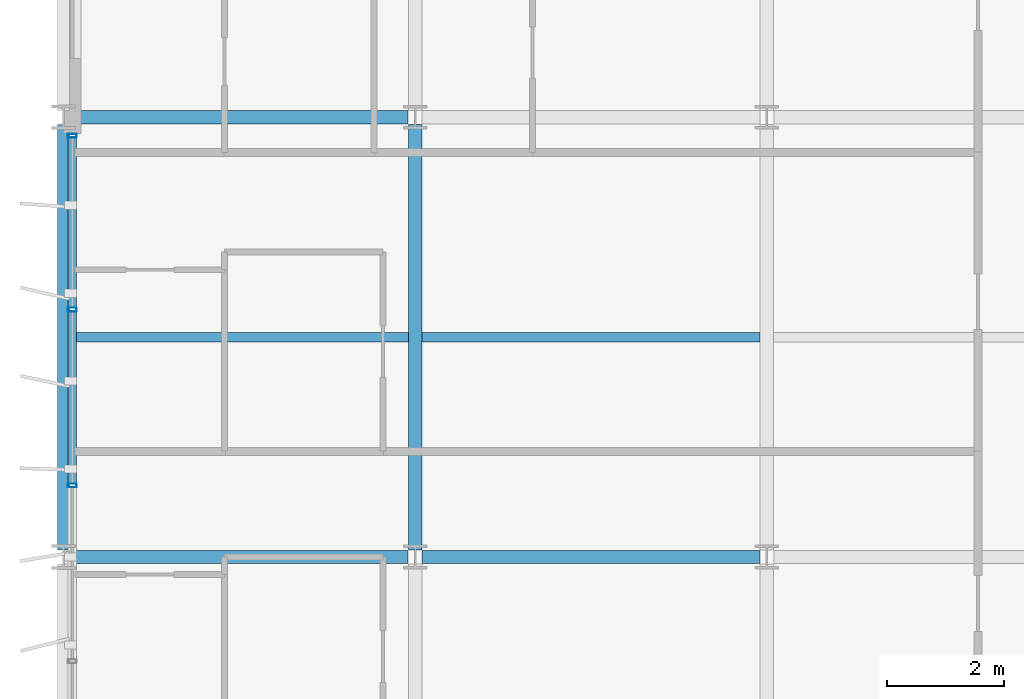
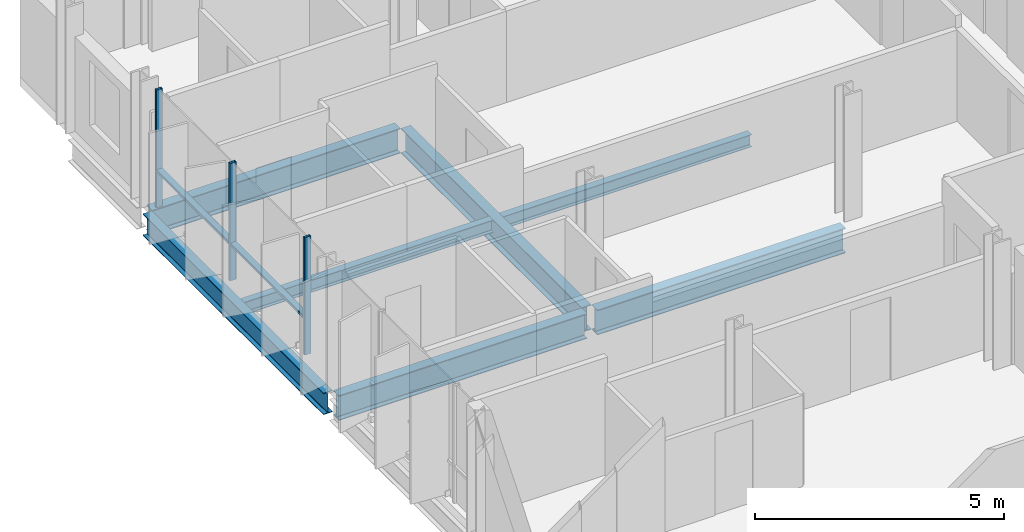
# One storey, part 7 of 40: 7 beams, 5 members, 1 element without a shape of its own.
"""IFC4 building model written with IfcOpenShell, lengths in metres."""

import ifcopenshell
import ifcopenshell.guid

model = None  # the IFC model being written
_history = None  # IfcOwnerHistory: only IFC2X3 demands one
_inside = {}  # id of a spatial element -> (the spatial element, [elements in it])
_under = {}  # id of a project, library or spatial element -> (it, [spatial elements below it])
_declared = {}  # id of a project -> (the project, [libraries it declares])
_typed = {}  # id of a type object -> (the type object, [elements of that type])
_made_of = {}  # id of a material, layer set ... -> (it, [elements and type objects made of it])


def new_model(schema):
    """Start an empty IFC model of exactly this schema.

    Asked for "IFC4X3", IfcOpenShell would pick the latest addendum, in which some entities
    have other attributes; the version numbers below select the first issue.
    IFC2X3 requires an IfcOwnerHistory on every rooted entity: one is made here for all.
    """
    global model, _history
    if schema == "IFC4X3":
        model = ifcopenshell.file(schema_version=(4, 3, 0, 0))
    else:
        model = ifcopenshell.file(schema=schema)
    _inside.clear()
    _under.clear()
    _declared.clear()
    _typed.clear()
    _made_of.clear()
    _history = None
    if model.schema == "IFC2X3":
        org = make("IfcOrganization", Name="unknown")
        user = make(
            "IfcPersonAndOrganization",
            ThePerson=make("IfcPerson", FamilyName="unknown"),
            TheOrganization=org,
        )
        app = make(
            "IfcApplication",
            ApplicationDeveloper=org,
            Version="unknown",
            ApplicationFullName="unknown",
            ApplicationIdentifier="unknown",
        )
        _history = make(
            "IfcOwnerHistory",
            OwningUser=user,
            OwningApplication=app,
            ChangeAction="ADDED",
            CreationDate=0,
        )
    return model


def make(cls, **values):
    """One entity of the class cls with the attributes given. An attribute that is None is left unset."""
    return model.create_entity(
        cls, **{name: value for name, value in values.items() if value is not None}
    )


def rooted(cls, **values):
    """An entity with a GlobalId (a new one), such as an element, a storey or a relation."""
    return make(cls, GlobalId=ifcopenshell.guid.new(), OwnerHistory=_history, **values)


def si_unit(unit_type, name, prefix=None):
    """IfcSIUnit, for example si_unit("LENGTHUNIT", "METRE", prefix="MILLI")."""
    return make("IfcSIUnit", UnitType=unit_type, Prefix=prefix, Name=name)


def assignment(units):
    """IfcUnitAssignment: the units of a project."""
    return None if units is None else make("IfcUnitAssignment", Units=units)


def point(xyz):
    """IfcCartesianPoint."""
    return None if xyz is None else make("IfcCartesianPoint", Coordinates=xyz)


def direction(xyz):
    """IfcDirection."""
    return None if xyz is None else make("IfcDirection", DirectionRatios=xyz)


def frame(location, z_axis=None, x_axis=None):
    """IfcAxis2Placement3D, a coordinate frame: its origin and axes. An axis left out is left unset."""
    return make(
        "IfcAxis2Placement3D",
        Location=point(location),
        Axis=direction(z_axis),
        RefDirection=direction(x_axis),
    )


def frame_2d(location, x_axis=None):
    """IfcAxis2Placement2D, a coordinate frame in the plane: its origin and x axis."""
    return make(
        "IfcAxis2Placement2D", Location=point(location), RefDirection=direction(x_axis)
    )


def origin():
    """The frame at (0, 0, 0) with its axes left unset."""
    return frame((0.0, 0.0, 0.0))


def origin_2d():
    """The frame at (0, 0) in the plane with its x axis left unset."""
    return frame_2d((0.0, 0.0))


def place(relative_to, where):
    """IfcLocalPlacement: puts the frame where relative to a parent placement (None: the world)."""
    return make(
        "IfcLocalPlacement", PlacementRelTo=relative_to, RelativePlacement=where
    )


def context(
    kind, dimensions, precision=None, world=None, true_north=None, identifier=None
):
    """IfcGeometricRepresentationContext, for example the 3D "Model" context."""
    return make(
        "IfcGeometricRepresentationContext",
        ContextIdentifier=identifier,
        ContextType=kind,
        CoordinateSpaceDimension=dimensions,
        Precision=precision,
        WorldCoordinateSystem=world,
        TrueNorth=true_north,
    )


def subcontext(parent, identifier, kind, view, scale=None):
    """IfcGeometricRepresentationSubContext, for example "Body" below "Model"."""
    return make(
        "IfcGeometricRepresentationSubContext",
        ContextIdentifier=identifier,
        ContextType=kind,
        ParentContext=parent,
        TargetScale=scale,
        TargetView=view,
    )


def project(units=None, contexts=None):
    """IfcProject with its units and contexts."""
    return rooted(
        "IfcProject",
        Name="project",
        RepresentationContexts=contexts,
        UnitsInContext=assignment(units),
    )


def spatial(cls, under=None, at=None, **own):
    """A site, building, storey or space (cls), placed at a placement, below another one or the project."""
    s = rooted(cls, ObjectPlacement=at, **own)
    if under is not None:
        _under.setdefault(under.id(), (under, []))[1].append(s)
    return s


def profile(cls, at=None, kind="AREA", **sizes):
    """A parametric profile (cls). Its sizes go by their IFC names, for example OverallWidth=200.0."""
    return make(cls, ProfileType=kind, Position=at, **sizes)


def hollow_rectangle(**sizes):
    """IfcRectangleHollowProfileDef."""
    return profile("IfcRectangleHollowProfileDef", **sizes)


def i_section(**sizes):
    """IfcIShapeProfileDef."""
    return profile("IfcIShapeProfileDef", **sizes)


def extrude(swept, where, along, depth):
    """IfcExtrudedAreaSolid: the profile swept, set in the frame where, extruded along a direction by depth."""
    return make(
        "IfcExtrudedAreaSolid",
        SweptArea=swept,
        Position=where,
        ExtrudedDirection=direction(along),
        Depth=depth,
    )


def shape(context_of_items, identifier, shape_type, items):
    """IfcShapeRepresentation: the items that make up one representation, for example the "Body"."""
    return make(
        "IfcShapeRepresentation",
        ContextOfItems=context_of_items,
        RepresentationIdentifier=identifier,
        RepresentationType=shape_type,
        Items=items,
    )


def material(Name=None, Category=None):
    """IfcMaterial."""
    return make("IfcMaterial", Name=Name, Category=Category)


def layer(
    of_material, thickness, ventilated=None, Name=None, Category=None, Priority=None
):
    """IfcMaterialLayer: one layer of a wall or slab, of a material (None: an air gap)."""
    return make(
        "IfcMaterialLayer",
        Material=of_material,
        LayerThickness=thickness,
        IsVentilated=ventilated,
        Name=Name,
        Category=Category,
        Priority=Priority,
    )


def layer_set(layers, Name=None):
    """IfcMaterialLayerSet."""
    return make("IfcMaterialLayerSet", MaterialLayers=layers, LayerSetName=Name)


def material_profile(
    of_material, cross_section, Name=None, Category=None, Priority=None
):
    """IfcMaterialProfile: a cross section and its material."""
    return make(
        "IfcMaterialProfile",
        Name=Name,
        Material=of_material,
        Profile=cross_section,
        Priority=Priority,
        Category=Category,
    )


def profile_set(profiles, Name=None, composite=None):
    """IfcMaterialProfileSet."""
    return make(
        "IfcMaterialProfileSet",
        Name=Name,
        MaterialProfiles=profiles,
        CompositeProfile=composite,
    )


def made_of(thing, what):
    """Note that an element or type object is made of a material, layer set ...; save() writes the relation."""
    if what is not None:
        _made_of.setdefault(what.id(), (what, []))[1].append(thing)
    return thing


def type_object(cls, material=None, **own):
    """A type object (cls), such as IfcWallType, which elements share."""
    return made_of(rooted(cls, **own), material)


def element(
    cls,
    number,
    at=None,
    inside=None,
    cuts=None,
    type_object=None,
    material=None,
    context=None,
    identifier="Body",
    shape_type=None,
    held_by="IfcProductDefinitionShape",
    body=None,
    shapes=None,
    **own,
):
    """One element of the class cls, such as IfcWall. Its Tag is "e" and its number.

    at: its placement. inside: the storey or other place that contains it. cuts: it is an
    opening in that element (IfcRelVoidsElement). A single representation is given by context,
    identifier, shape_type and body (its items); several are given by shapes. held_by: the class
    of the entity that holds the representations. save() writes the other relations.
    """
    e = rooted(cls, Tag="e%d" % number, ObjectPlacement=at, **own)
    if body is not None:
        shapes = [shape(context, identifier, shape_type, body)]
    if shapes is not None:
        e.Representation = make(held_by, Representations=shapes)
    if inside is not None:
        _inside.setdefault(inside.id(), (inside, []))[1].append(e)
    if cuts is not None:
        rooted(
            "IfcRelVoidsElement", RelatingBuildingElement=cuts, RelatedOpeningElement=e
        )
    if type_object is not None:
        _typed.setdefault(type_object.id(), (type_object, []))[1].append(e)
    return made_of(e, material)


def aggregate(whole, parts):
    """IfcRelAggregates: a whole, such as a stair, and the parts it consists of."""
    return rooted("IfcRelAggregates", RelatingObject=whole, RelatedObjects=parts)


def save(model, path):
    """Write the relations noted so far, then the file.

    IfcRelAggregates (storeys below a building ...), IfcRelContainedInSpatialStructure (elements
    in a storey), IfcRelDefinesByType, IfcRelAssociatesMaterial and IfcRelDeclares: one each for
    every whole, place, type object, material and project.
    """
    for whole, parts in _under.values():
        aggregate(whole, parts)
    for where, things in _inside.values():
        rooted(
            "IfcRelContainedInSpatialStructure",
            RelatedElements=things,
            RelatingStructure=where,
        )
    for kind, things in _typed.values():
        rooted("IfcRelDefinesByType", RelatedObjects=things, RelatingType=kind)
    for what, things in _made_of.values():
        rooted("IfcRelAssociatesMaterial", RelatedObjects=things, RelatingMaterial=what)
    for by, libraries in _declared.values():
        rooted("IfcRelDeclares", RelatingContext=by, RelatedDefinitions=libraries)
    model.write(path)


model = new_model("IFC4")

# Units and contexts
model_context = context("Model", 3, precision=1e-05, world=origin(), true_north=direction((0.0, 1.0)))
body_context = subcontext(model_context, "Body", "Model", "MODEL_VIEW")
ifc_project = project(units=[si_unit("LENGTHUNIT", "METRE"), si_unit("AREAUNIT", "SQUARE_METRE"), si_unit("VOLUMEUNIT", "CUBIC_METRE"), si_unit("PLANEANGLEUNIT", "RADIAN"), si_unit("MASSUNIT", "GRAM", prefix="KILO")], contexts=[model_context])

# Site, building, storey
site_placement = place(None, origin())
site = spatial("IfcSite", under=ifc_project, at=site_placement, CompositionType="ELEMENT")
building_placement = place(site_placement, origin())
building = spatial("IfcBuilding", under=site, at=building_placement, Name="Brevholm Reach", CompositionType="ELEMENT")
storey_placement = place(building_placement, frame((0.0, 0.0, 148.0)))
storey = spatial("IfcBuildingStorey", under=building, at=storey_placement, Name="L44", CompositionType="ELEMENT", Elevation=148.0)

# Beams
ifc_material_1 = material(Name="Structural Steel S355J2", Category="steel")
ifc_material_profile_1 = material_profile(ifc_material_1, i_section(OverallWidth=0.1650390625, OverallDepth=0.303466796875, WebThickness=0.006103515625, FlangeThickness=0.01025390625, FilletRadius=0.0087890625, at=origin_2d()), Name="UKB 305x165x40")
ifc_profile_set_1 = profile_set([ifc_material_profile_1], Name="Structural Steel S355J2")
beam_type_1 = type_object("IfcBeamType", Name="BM-B305", PredefinedType="BEAM", material=ifc_profile_set_1)
beam_1_placement = place(storey_placement, frame((0.104736328125, 19.75, -0.37158203125), z_axis=(1.0, 0.0, 0.0), x_axis=(0.0, 1.0, 0.0)))
element("IfcBeam", 1, at=beam_1_placement, inside=storey, type_object=beam_type_1, Name="L44 Composite Secondary Floor Beam", PredefinedType="BEAM", context=body_context, shape_type="SweptSolid", body=[
    extrude(i_section(OverallWidth=0.1650390625, OverallDepth=0.303466796875, WebThickness=0.006103515625, FlangeThickness=0.01025390625, FilletRadius=0.0087890625, at=origin_2d()), origin(), (0.0, 0.0, 1.0), 5.78076171875),
])
beam_2_placement = place(storey_placement, frame((6.114501953125, 19.75, -0.37158203125), z_axis=(1.0, 0.0, 0.0), x_axis=(0.0, 1.0, 0.0)))
element("IfcBeam", 2, at=beam_2_placement, inside=storey, type_object=beam_type_1, Name="L44 Composite Secondary Floor Beam", PredefinedType="BEAM", context=body_context, shape_type="SweptSolid", body=[
    extrude(i_section(OverallWidth=0.1650390625, OverallDepth=0.303466796875, WebThickness=0.006103515625, FlangeThickness=0.01025390625, FilletRadius=0.0087890625, at=origin_2d()), origin(), (0.0, 0.0, 1.0), 5.77099609375),
])
ifc_material_2 = material(Name="Structural Steel S355J2", Category="steel")
ifc_material_profile_2 = material_profile(ifc_material_2, i_section(OverallWidth=0.209228515625, OverallDepth=0.533203125, WebThickness=0.010009765625, FlangeThickness=0.015625, FilletRadius=0.0126953125, at=origin_2d()), Name="UKB 533x210x92")
ifc_profile_set_2 = profile_set([ifc_material_profile_2], Name="Structural Steel S355J2")
beam_type_2 = type_object("IfcBeamType", Name="BM-SP533", PredefinedType="SPANDREL", material=ifc_profile_set_2)
beam_3_placement = place(storey_placement, frame((0.0, 16.1201171875, -0.486572265625), z_axis=(0.0, 1.0, 0.0), x_axis=(-1.0, 0.0, 0.0)))
element("IfcBeam", 3, at=beam_3_placement, inside=storey, type_object=beam_type_2, Name="L44 SP-02 Framing Beam", PredefinedType="SPANDREL", context=body_context, shape_type="SweptSolid", body=[
    extrude(i_section(OverallWidth=0.209228515625, OverallDepth=0.533203125, WebThickness=0.010009765625, FlangeThickness=0.015625, FilletRadius=0.0126953125, at=origin_2d()), origin(), (0.0, 0.0, 1.0), 7.259765625),
])
ifc_material_3 = material(Name="Structural Steel S355J2", Category="steel")
ifc_material_profile_3 = material_profile(ifc_material_3, i_section(OverallWidth=0.22900390625, OverallDepth=0.6123046875, WebThickness=0.011962890625, FlangeThickness=0.01953125, FilletRadius=0.0126953125, at=origin_2d()), Name="UKB 610x229x125")
ifc_profile_set_3 = profile_set([ifc_material_profile_3], Name="Structural Steel S355J2")
beam_type_3 = type_object("IfcBeamType", Name="BM-SP610", PredefinedType="SPANDREL", material=ifc_profile_set_3)
for number, where, z_axis, x_axis, name in (
    (4, (0.1201171875, 16.0, -0.526123046875), (1.0, 0.0, 0.0), (0.0, 1.0, 0.0), "L44 SP-01 Framing Beam"),
    (5, (6.1201171875, 16.0, -0.526123046875), (1.0, 0.0, 0.0), (0.0, 1.0, 0.0), "L44 SP-01 Framing Beam"),
    (6, (0.1201171875, 23.5, -0.526123046875), (1.0, 0.0, 0.0), (0.0, 1.0, 0.0), "L44 SP-01 Framing Beam"),
):
    element("IfcBeam", number, at=place(storey_placement, frame(where, z_axis=z_axis, x_axis=x_axis)), inside=storey, type_object=beam_type_3, Name=name, PredefinedType="SPANDREL", context=body_context, shape_type="SweptSolid", body=[
        extrude(i_section(OverallWidth=0.22900390625, OverallDepth=0.6123046875, WebThickness=0.011962890625, FlangeThickness=0.01953125, FilletRadius=0.0126953125, at=origin_2d()), origin(), (0.0, 0.0, 1.0), 5.759765625),
    ])
beam_4_placement = place(storey_placement, frame((6.0, 16.1201171875, -0.526123046875), z_axis=(0.0, 1.0, 0.0), x_axis=(-1.0, 0.0, 0.0)))
element("IfcBeam", 7, at=beam_4_placement, inside=storey, type_object=beam_type_3, Name="L44 SP-01 Framing Beam", PredefinedType="SPANDREL", context=body_context, shape_type="SweptSolid", body=[
    extrude(i_section(OverallWidth=0.22900390625, OverallDepth=0.6123046875, WebThickness=0.011962890625, FlangeThickness=0.01953125, FilletRadius=0.0126953125, at=origin_2d()), origin(), (0.0, 0.0, 1.0), 7.259765625),
])

# Curtain wall, members
ifc_material_4 = material(Name="Dark Anodised Aluminium 6063-T6 and Solar-Control Glass", Category="aluminium")
ifc_layer = layer(ifc_material_4, 0.14990234375)
ifc_layer_set = layer_set([ifc_layer], Name="Dark Anodised Aluminium 6063-T6 and Solar-Control Glass")
curtain_wall_type = type_object("IfcCurtainWallType", Name="CW-01", PredefinedType="NOTDEFINED", material=ifc_layer_set)
curtain_wall_placement = place(storey_placement, origin())
curtain_wall = element("IfcCurtainWall", 8, at=curtain_wall_placement, inside=storey, type_object=curtain_wall_type, Name="L44 Curtain Wall CW-01", PredefinedType="NOTDEFINED")
ifc_material_5 = material(Name="Dark Anodised Aluminium 6063-T6", Category="aluminium")
ifc_material_profile_4 = material_profile(ifc_material_5, hollow_rectangle(XDim=0.06494140625, YDim=0.14990234375, WallThickness=0.0048828125, InnerFilletRadius=0.0048828125, OuterFilletRadius=0.010009765625, at=origin_2d()), Name="RHS 150x65x5")
ifc_profile_set_4 = profile_set([ifc_material_profile_4], Name="Dark Anodised Aluminium 6063-T6")
member_type_1 = type_object("IfcMemberType", Name="CWM-150", PredefinedType="MULLION", material=ifc_profile_set_4)
member_1_placement = place(storey_placement, frame((0.14990234375, 23.1875, 0.0), z_axis=(0.0, 0.0, 1.0), x_axis=(0.0, -1.0, 0.0)))
member_1 = element("IfcMember", 9, at=member_1_placement, type_object=member_type_1, Name="CM-150 Mullion 1", PredefinedType="MULLION", context=body_context, shape_type="SweptSolid", body=[
    extrude(hollow_rectangle(XDim=0.06494140625, YDim=0.14990234375, WallThickness=0.0048828125, InnerFilletRadius=0.0048828125, OuterFilletRadius=0.010009765625, at=origin_2d()), origin(), (0.0, 0.0, 1.0), 2.8798828125),
])
member_2_placement = place(storey_placement, frame((0.14990234375, 20.219970703125, 0.0), z_axis=(0.0, 0.0, 1.0), x_axis=(0.0, -1.0, 0.0)))
member_2 = element("IfcMember", 10, at=member_2_placement, type_object=member_type_1, Name="CM-150 Mullion 2", PredefinedType="MULLION", context=body_context, shape_type="SweptSolid", body=[
    extrude(hollow_rectangle(XDim=0.06494140625, YDim=0.14990234375, WallThickness=0.0048828125, InnerFilletRadius=0.0048828125, OuterFilletRadius=0.010009765625, at=origin_2d()), origin(), (0.0, 0.0, 1.0), 2.8798828125),
])
member_3_placement = place(storey_placement, frame((0.14990234375, 17.219970703125, 0.0), z_axis=(0.0, 0.0, 1.0), x_axis=(0.0, -1.0, 0.0)))
member_3 = element("IfcMember", 11, at=member_3_placement, type_object=member_type_1, Name="CM-150 Mullion 3", PredefinedType="MULLION", context=body_context, shape_type="SweptSolid", body=[
    extrude(hollow_rectangle(XDim=0.06494140625, YDim=0.14990234375, WallThickness=0.0048828125, InnerFilletRadius=0.0048828125, OuterFilletRadius=0.010009765625, at=origin_2d()), origin(), (0.0, 0.0, 1.0), 2.8798828125),
])
ifc_material_6 = material(Name="Dark Anodised Aluminium 6063-T6", Category="aluminium")
ifc_material_profile_5 = material_profile(ifc_material_6, hollow_rectangle(XDim=0.06494140625, YDim=0.14990234375, WallThickness=0.0048828125, InnerFilletRadius=0.0048828125, OuterFilletRadius=0.010009765625, at=origin_2d()), Name="RHS 150x65x5")
ifc_profile_set_5 = profile_set([ifc_material_profile_5], Name="Dark Anodised Aluminium 6063-T6")
member_type_2 = type_object("IfcMemberType", Name="CWT-150", PredefinedType="NOTDEFINED", material=ifc_profile_set_5)
member_4_placement = place(storey_placement, frame((0.14990234375, 23.155029296875, 0.89990234375), z_axis=(0.0, -1.0, 0.0), x_axis=(0.0, 0.0, 1.0)))
member_4 = element("IfcMember", 12, at=member_4_placement, type_object=member_type_2, Name="CT-150 Transom 1.1", ObjectType="TRANSOM", PredefinedType="USERDEFINED", context=body_context, shape_type="SweptSolid", body=[
    extrude(hollow_rectangle(XDim=0.06494140625, YDim=0.14990234375, WallThickness=0.0048828125, InnerFilletRadius=0.0048828125, OuterFilletRadius=0.010009765625, at=origin_2d()), origin(), (0.0, 0.0, 1.0), 2.902587890625),
])
member_5_placement = place(storey_placement, frame((0.14990234375, 20.1875, 0.89990234375), z_axis=(0.0, -1.0, 0.0), x_axis=(0.0, 0.0, 1.0)))
member_5 = element("IfcMember", 13, at=member_5_placement, type_object=member_type_2, Name="CT-150 Transom 2.1", ObjectType="TRANSOM", PredefinedType="USERDEFINED", context=body_context, shape_type="SweptSolid", body=[
    extrude(hollow_rectangle(XDim=0.06494140625, YDim=0.14990234375, WallThickness=0.0048828125, InnerFilletRadius=0.0048828125, OuterFilletRadius=0.010009765625, at=origin_2d()), origin(), (0.0, 0.0, 1.0), 2.93505859375),
])
aggregate(curtain_wall, [member_1, member_2, member_3, member_4, member_5])

save(model, "model.ifc")
